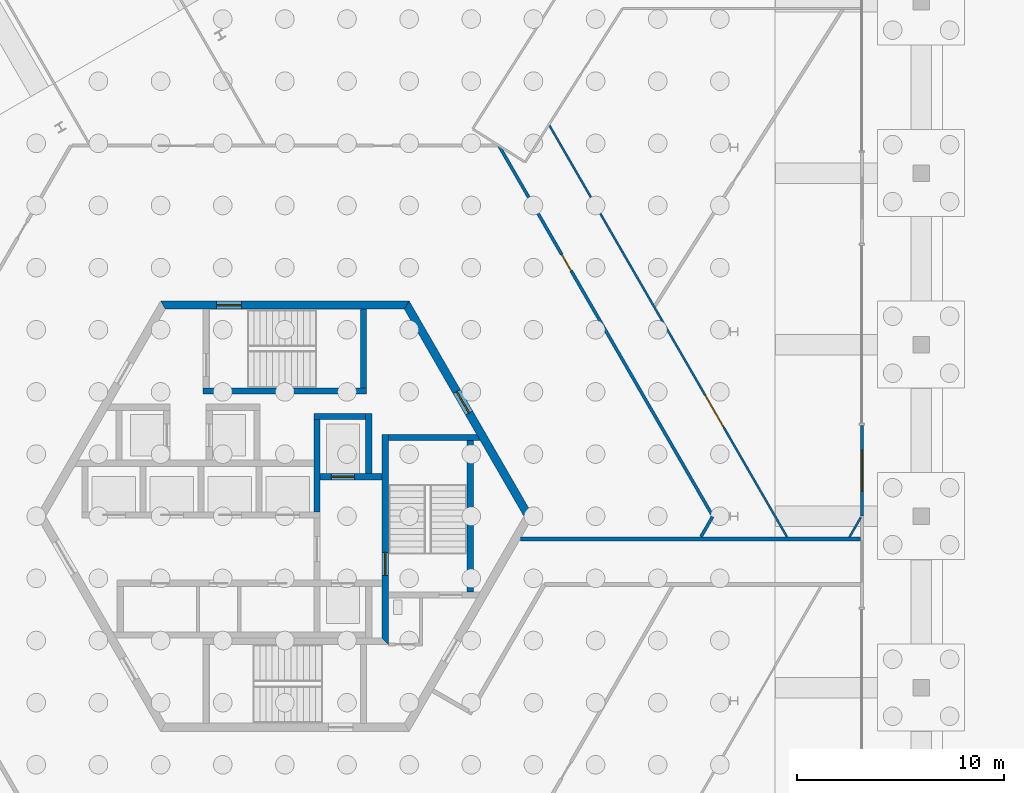
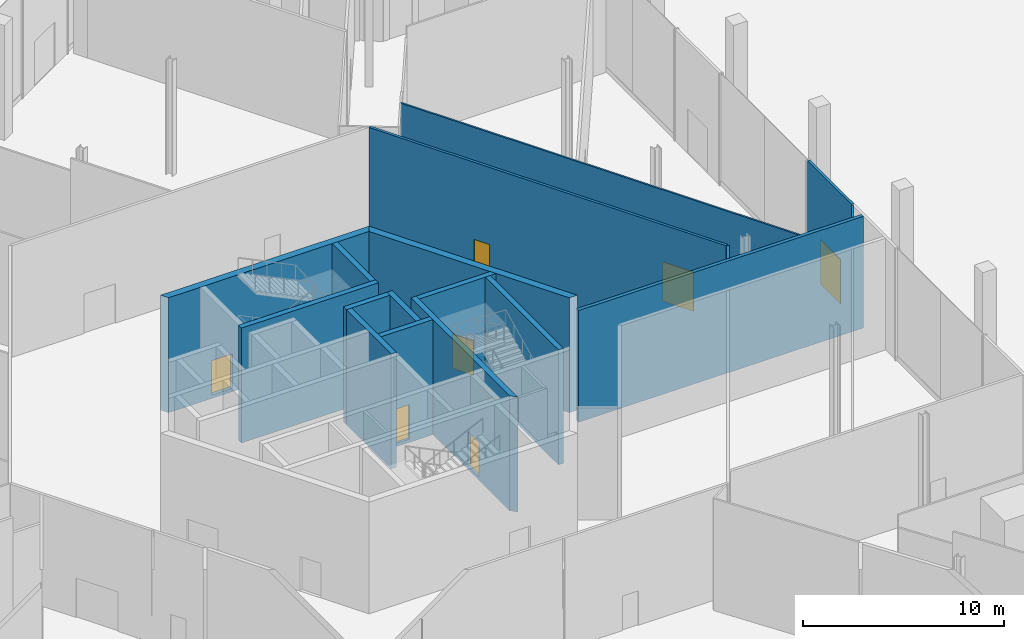
# One storey, part 20 of 27: 17 walls, 7 doors, 7 openings.
"""IFC4 building model written with IfcOpenShell, lengths in metres."""

from ifc_helpers import new_model, si_unit, direction, frame, frame_2d, origin, place, context, subcontext, project, spatial, polyline, rectangle, outline, extrude, source, transform, mapped, material, layer, layer_set, type_object, element, fill, save


model = new_model("IFC4")

# Units and contexts
model_context = context("Model", 3, precision=1e-05, world=origin(), true_north=direction((0.0, 1.0)))
body_context = subcontext(model_context, "Body", "Model", "MODEL_VIEW")
ifc_project = project(units=[si_unit("LENGTHUNIT", "METRE"), si_unit("AREAUNIT", "SQUARE_METRE"), si_unit("VOLUMEUNIT", "CUBIC_METRE"), si_unit("PLANEANGLEUNIT", "RADIAN"), si_unit("MASSUNIT", "GRAM", prefix="KILO")], contexts=[model_context])

# Site, building, storey
site_placement = place(None, origin())
site = spatial("IfcSite", under=ifc_project, at=site_placement, CompositionType="ELEMENT")
building_placement = place(site_placement, origin())
building = spatial("IfcBuilding", under=site, at=building_placement, Name="Triune Harvest Tower", CompositionType="ELEMENT")
storey_placement = place(building_placement, origin())
storey = spatial("IfcBuildingStorey", under=building, at=storey_placement, Name="L00", CompositionType="ELEMENT", Elevation=0.0)

# Walls
ifc_material_1 = material(Name="Concrete 70 MPa", Category="concrete")
ifc_layer_1 = layer(ifc_material_1, 0.300048828125)
ifc_layer_set_1 = layer_set([ifc_layer_1], Name="Concrete 70 MPa")
wall_type_1 = type_object("IfcWallType", Name="Core wall 300", PredefinedType="SHEAR", material=ifc_layer_set_1)
wall_1_placement = place(storey_placement, frame((1.550048828125, 0.2099609375, -0.199951171875), z_axis=(0.0, 0.0, 1.0), x_axis=(0.0, 1.0, 0.0)))
element("IfcWall", 1, at=wall_1_placement, inside=storey, type_object=wall_type_1, Name="Ff1 west wall", PredefinedType="SHEAR", context=body_context, shape_type="SweptSolid", body=[
    extrude(rectangle(XDim=4.449951171875, YDim=0.300048828125, at=frame_2d((2.22509765625, 0.0))), origin(), (0.0, 0.0, 1.0), 7.0),
])
wall_2_placement = place(storey_placement, frame((4.050048828125, 2.06005859375, -0.199951171875), z_axis=(0.0, 0.0, 1.0), x_axis=(0.0, 1.0, 0.0)))
element("IfcWall", 2, at=wall_2_placement, inside=storey, type_object=wall_type_1, Name="Ff1 east wall", PredefinedType="SHEAR", context=body_context, shape_type="SweptSolid", body=[
    extrude(rectangle(XDim=2.89990234375, YDim=0.300048828125, at=frame_2d((1.449951171875, 0.0))), origin(), (0.0, 0.0, 1.0), 7.0),
])

# Wall, opening, door
wall_3_placement = place(storey_placement, frame((4.85009765625, -6.0400390625, -0.199951171875), z_axis=(0.0, 0.0, 1.0), x_axis=(0.0, 1.0, 0.0)))
wall_3 = element("IfcWall", 3, at=wall_3_placement, inside=storey, type_object=wall_type_1, Name="Stair e west wall", PredefinedType="SHEAR", context=body_context, shape_type="SweptSolid", body=[
    extrude(outline(polyline([(-0.14990234375, -0.14990234375), (9.989990234375, -0.14990234375), (9.989990234375, 0.14990234375), (0.14990234375, 0.14990234375), (-0.14990234375, -0.14990234375)])), origin(), (0.0, 0.0, 1.0), 7.0),
])
opening_1_placement = place(wall_3_placement, frame((3.18994140625, 0.0, 0.199951171875)))
opening_1 = element("IfcOpeningElement", 4, at=opening_1_placement, cuts=wall_3, Name="Opening CD-S3L", PredefinedType="OPENING", context=body_context, shape_type="SweptSolid", body=[
    extrude(rectangle(XDim=1.10009765625, YDim=2.10009765625, at=frame_2d((0.550048828125, 1.050048828125))), frame((0.0, 0.16015625, 0.0), z_axis=(0.0, -1.0, 0.0), x_axis=(1.0, 0.0, 0.0)), (0.0, 0.0, 1.0), 0.320068359375),
])
ifc_material_2 = material(Name="Steel S235", Category="steel")
door_type_1 = type_object("IfcDoorType", Name="Stair door 1100 FD120", OperationType="SINGLE_SWING_LEFT", PredefinedType="DOOR", material=ifc_material_2)
door_1_placement = place(opening_1_placement, frame((1.10009765625, 0.0, 0.0), z_axis=(0.0, 0.0, 1.0), x_axis=(-1.0, 0.0, 0.0)))
door_1 = element("IfcDoor", 5, at=door_1_placement, inside=storey, type_object=door_type_1, Name="Door CD-S3L", OperationType="SINGLE_SWING_RIGHT", OverallHeight=2.10009765625, OverallWidth=1.10009765625, PredefinedType="DOOR", context=body_context, shape_type="SweptSolid", body=[
    extrude(rectangle(XDim=1.10009765625, YDim=2.10009765625, at=frame_2d((0.550048828125, 1.050048828125))), frame((0.0, 0.02490234375, 0.0), z_axis=(0.0, -1.0, 0.0), x_axis=(1.0, 0.0, 0.0)), (0.0, 0.0, 1.0), 0.050048828125),
])
fill(opening_1, door_1)

# Walls
wall_4_placement = place(storey_placement, frame((5.0, 3.800048828125, -0.199951171875), z_axis=(0.0, 0.0, 1.0), x_axis=(1.0, 0.0, 0.0)))
element("IfcWall", 6, at=wall_4_placement, inside=storey, type_object=wall_type_1, Name="Stair e north wall", PredefinedType="SHEAR", context=body_context, shape_type="SweptSolid", body=[
    extrude(outline(polyline([(0.0, -0.14990234375), (0.0, 0.14990234375), (4.260009765625, 0.14990234375), (4.43310546875, -0.14990234375), (0.0, -0.14990234375)])), origin(), (0.0, 0.0, 1.0), 7.0),
])
wall_5_placement = place(storey_placement, frame((8.949951171875, -3.64990234375, -0.199951171875), z_axis=(0.0, 0.0, 1.0), x_axis=(0.0, 1.0, 0.0)))
element("IfcWall", 7, at=wall_5_placement, inside=storey, type_object=wall_type_1, Name="Stair e east wall", PredefinedType="SHEAR", context=body_context, shape_type="SweptSolid", body=[
    extrude(rectangle(XDim=7.2998046875, YDim=0.300048828125, at=frame_2d((3.64990234375, 0.0))), origin(), (0.0, 0.0, 1.0), 7.0),
])
wall_6_placement = place(storey_placement, frame((-3.949951171875, 6.0400390625, -0.199951171875), z_axis=(0.0, 0.0, 1.0), x_axis=(1.0, 0.0, 0.0)))
element("IfcWall", 8, at=wall_6_placement, inside=storey, type_object=wall_type_1, Name="Stair n south wall", PredefinedType="SHEAR", context=body_context, shape_type="SweptSolid", body=[
    extrude(rectangle(XDim=7.89990234375, YDim=0.300048828125, at=frame_2d((3.949951171875, 0.0))), origin(), (0.0, 0.0, 1.0), 7.0),
])

# Wall, opening, door
ifc_material_3 = material(Name="Gypsum board on steel studs", Category="steel")
ifc_layer_2 = layer(ifc_material_3, 0.14990234375)
ifc_layer_set_2 = layer_set([ifc_layer_2], Name="Gypsum board on steel studs")
wall_type_2 = type_object("IfcWallType", Name="Fire Partition 150 mm", PredefinedType="PARTITIONING", material=ifc_layer_set_2)
wall_7_placement = place(storey_placement, frame((10.35107421875, 17.85595703125, 0.0), z_axis=(0.0, 0.0, 1.0), x_axis=(0.499999528265, -0.866025676141, 0.0)))
wall_7 = element("IfcWall", 9, at=wall_7_placement, inside=storey, type_object=wall_type_2, Name="Partition L00 011", PredefinedType="PARTITIONING", context=body_context, shape_type="SweptSolid", body=[
    extrude(rectangle(XDim=20.568359375, YDim=0.14990234375, at=frame_2d((10.2841796875, 0.0))), origin(), (0.0, 0.0, 1.0), 6.800048828125),
])
opening_2_placement = place(wall_7_placement, frame((6.0341796875, 0.0, 0.0)))
opening_2 = element("IfcOpeningElement", 10, at=opening_2_placement, cuts=wall_7, Name="Opening L00-006", PredefinedType="OPENING", context=body_context, shape_type="SweptSolid", body=[
    extrude(rectangle(XDim=0.89990234375, YDim=2.10009765625, at=frame_2d((0.449951171875, 1.050048828125))), frame((0.0, 0.0849609375, 0.0), z_axis=(0.0, -1.0, 0.0), x_axis=(1.0, 0.0, 0.0)), (0.0, 0.0, 1.0), 0.169921875),
])
ifc_material_4 = material(Name="Timber and steel door set", Category="steel")
door_type_2 = type_object("IfcDoorType", Name="Single leaf door FD30 left hand 900 x 2100", OperationType="SINGLE_SWING_LEFT", PredefinedType="DOOR", material=ifc_material_4)
door_2_placement = place(opening_2_placement, origin())
door_2 = element("IfcDoor", 11, at=door_2_placement, inside=storey, type_object=door_type_2, Name="Door L00-006 Dry Store Room 00.06", OperationType="SINGLE_SWING_LEFT", OverallHeight=2.10009765625, OverallWidth=0.89990234375, PredefinedType="DOOR", context=body_context, shape_type="SweptSolid", body=[
    extrude(rectangle(XDim=0.89990234375, YDim=2.10009765625, at=frame_2d((0.449951171875, 1.050048828125))), frame((0.0, 0.02490234375, 0.0), z_axis=(0.0, -1.0, 0.0), x_axis=(1.0, 0.0, 0.0)), (0.0, 0.0, 1.0), 0.050048828125),
])
fill(opening_2, door_2)

# Walls
wall_8_placement = place(storey_placement, frame((20.08544921875, -0.995361328125, 0.0), z_axis=(0.0, 0.0, 1.0), x_axis=(0.500005339912, 0.866022320763, 0.0)))
element("IfcWall", 12, at=wall_8_placement, inside=storey, type_object=wall_type_2, Name="Partition L00 068", PredefinedType="PARTITIONING", context=body_context, shape_type="SweptSolid", body=[
    extrude(rectangle(XDim=1.12060546875, YDim=0.14990234375, at=frame_2d((0.560302734375, 0.0))), origin(), (0.0, 0.0, 1.0), 6.800048828125),
])
ifc_material_5 = material(Name="Gypsum board on steel studs", Category="steel")
ifc_layer_3 = layer(ifc_material_5, 0.199951171875)
ifc_layer_set_3 = layer_set([ifc_layer_3], Name="Gypsum board on steel studs")
wall_type_3 = type_object("IfcWallType", Name="Fire Wall 200 mm", PredefinedType="PARTITIONING", material=ifc_layer_set_3)
wall_9_placement = place(storey_placement, frame((11.36767578125, -1.09521484375, 0.0), z_axis=(0.0, 0.0, 1.0), x_axis=(1.0, 0.0, 0.0)))
element("IfcWall", 13, at=wall_9_placement, inside=storey, type_object=wall_type_3, Name="Partition L00 072", PredefinedType="PARTITIONING", context=body_context, shape_type="SweptSolid", body=[
    extrude(rectangle(XDim=16.412353515625, YDim=0.199951171875, at=frame_2d((8.2060546875, 0.0))), origin(), (0.0, 0.0, 1.0), 6.800048828125),
])

# Wall, opening, door
ifc_material_6 = material(Name="Gypsum board on steel studs", Category="steel")
ifc_layer_4 = layer(ifc_material_6, 0.10009765625)
ifc_layer_set_4 = layer_set([ifc_layer_4], Name="Gypsum board on steel studs")
wall_type_4 = type_object("IfcWallType", Name="Partition 100 mm", PredefinedType="PARTITIONING", material=ifc_layer_set_4)
wall_10_placement = place(storey_placement, frame((12.747314453125, 18.9052734375, 0.0), z_axis=(0.0, 0.0, 1.0), x_axis=(0.500003565856, -0.866023345027, 0.0)))
wall_10 = element("IfcWall", 14, at=wall_10_placement, inside=storey, type_object=wall_type_4, Name="Partition L00 012", PredefinedType="PARTITIONING", context=body_context, shape_type="SweptSolid", body=[
    extrude(rectangle(XDim=22.979248046875, YDim=0.10009765625, at=frame_2d((11.48974609375, 0.0))), origin(), (0.0, 0.0, 1.0), 6.800048828125),
])
opening_3_placement = place(wall_10_placement, frame((15.080078125, 0.0, 0.0)))
opening_3 = element("IfcOpeningElement", 15, at=opening_3_placement, cuts=wall_10, Name="Opening L00-005", PredefinedType="OPENING", context=body_context, shape_type="SweptSolid", body=[
    extrude(rectangle(XDim=1.800048828125, YDim=2.39990234375, at=frame_2d((0.89990234375, 1.199951171875))), frame((0.0, 0.06005859375, 0.0), z_axis=(0.0, -1.0, 0.0), x_axis=(1.0, 0.0, 0.0)), (0.0, 0.0, 1.0), 0.1201171875),
])
ifc_material_7 = material(Name="Timber and steel door set", Category="steel")
door_type_3 = type_object("IfcDoorType", Name="Double leaf door 1800 x 2400", OperationType="DOUBLE_DOOR_SINGLE_SWING", PredefinedType="DOOR", material=ifc_material_7)
door_3_placement = place(opening_3_placement, origin())
door_3 = element("IfcDoor", 16, at=door_3_placement, inside=storey, type_object=door_type_3, Name="Door L00-005 Food Hall 00.05", OperationType="DOUBLE_DOOR_SINGLE_SWING", OverallHeight=2.39990234375, OverallWidth=1.800048828125, PredefinedType="DOOR", context=body_context, shape_type="SweptSolid", body=[
    extrude(rectangle(XDim=1.800048828125, YDim=2.39990234375, at=frame_2d((0.89990234375, 1.199951171875))), frame((0.0, 0.02490234375, 0.0), z_axis=(0.0, -1.0, 0.0), x_axis=(1.0, 0.0, 0.0)), (0.0, 0.0, 1.0), 0.050048828125),
])
fill(opening_3, door_3)

# Wall
wall_11_placement = place(storey_placement, frame((27.26171875, -0.995361328125, 0.0), z_axis=(0.0, 0.0, 1.0), x_axis=(0.499962673433, 0.866046953215, 0.0)))
element("IfcWall", 17, at=wall_11_placement, inside=storey, type_object=wall_type_4, Name="Partition L00 067", PredefinedType="PARTITIONING", context=body_context, shape_type="SweptSolid", body=[
    extrude(rectangle(XDim=1.0849609375, YDim=0.10009765625, at=frame_2d((0.54248046875, 0.0))), origin(), (0.0, 0.0, 1.0), 6.800048828125),
])

# Wall, opening, door
ifc_material_8 = material(Name="Concrete 70 MPa", Category="concrete")
ifc_layer_5 = layer(ifc_material_8, 0.39990234375)
ifc_layer_set_5 = layer_set([ifc_layer_5], Name="Concrete 70 MPa")
wall_type_5 = type_object("IfcWallType", Name="Core wall 400", PredefinedType="SHEAR", material=ifc_layer_set_5)
shared_shape_1 = source(origin(), body_context, "Body", "SweptSolid", [
    extrude(outline(polyline([(-0.115478515625, -0.199951171875), (11.884521484375, -0.199951171875), (11.653564453125, 0.199951171875), (0.115478515625, 0.199951171875), (-0.115478515625, -0.199951171875)])), origin(), (0.0, 0.0, 1.0), 7.0),
])
wall_12_placement = place(storey_placement, frame((11.76904296875, 0.0, -0.199951171875), z_axis=(0.0, 0.0, 1.0), x_axis=(-0.499996592174, 0.866027371285, 0.0)))
wall_12 = element("IfcWall", 18, at=wall_12_placement, inside=storey, type_object=wall_type_5, Name="Hexagon 0 wall", PredefinedType="SHEAR", context=body_context, shape_type="MappedRepresentation", body=[
    mapped(shared_shape_1, transform((0.0, 0.0, 0.0), scale=1.0)),
])
opening_4_placement = place(wall_12_placement, frame((5.75048828125, 0.0, 0.199951171875)))
opening_4 = element("IfcOpeningElement", 19, at=opening_4_placement, cuts=wall_12, Name="Opening CD-WCP", PredefinedType="OPENING", context=body_context, shape_type="SweptSolid", body=[
    extrude(rectangle(XDim=1.199951171875, YDim=2.10009765625, at=frame_2d((0.60009765625, 1.050048828125))), frame((0.0, 0.2099609375, 0.0), z_axis=(0.0, -1.0, 0.0), x_axis=(1.0, 0.0, 0.0)), (0.0, 0.0, 1.0), 0.419921875),
])
ifc_material_9 = material(Name="Steel S235", Category="steel")
door_type_4 = type_object("IfcDoorType", Name="Lobby door 1200 FD120", OperationType="SINGLE_SWING_LEFT", PredefinedType="DOOR", material=ifc_material_9)
door_4_placement = place(opening_4_placement, frame((1.199951171875, 0.0, 0.0), z_axis=(0.0, 0.0, 1.0), x_axis=(-1.0, 0.0, 0.0)))
door_4 = element("IfcDoor", 20, at=door_4_placement, inside=storey, type_object=door_type_4, Name="Door CD-WCP", OperationType="SINGLE_SWING_RIGHT", OverallHeight=2.10009765625, OverallWidth=1.199951171875, PredefinedType="DOOR", context=body_context, shape_type="SweptSolid", body=[
    extrude(rectangle(XDim=1.199951171875, YDim=2.10009765625, at=frame_2d((0.60009765625, 1.050048828125))), frame((0.0, 0.02490234375, 0.0), z_axis=(0.0, -1.0, 0.0), x_axis=(1.0, 0.0, 0.0)), (0.0, 0.0, 1.0), 0.050048828125),
])
fill(opening_4, door_4)

wall_13_placement = place(storey_placement, frame((5.884521484375, 10.1923828125, -0.199951171875), z_axis=(0.0, 0.0, 1.0), x_axis=(-1.0, 0.0, 0.0)))
wall_13 = element("IfcWall", 21, at=wall_13_placement, inside=storey, type_object=wall_type_5, Name="Hexagon 1 wall", PredefinedType="SHEAR", context=body_context, shape_type="MappedRepresentation", body=[
    mapped(shared_shape_1, transform((0.0, 0.0, 0.0), scale=1.0)),
])
opening_5_placement = place(wall_13_placement, frame((7.984619140625, 0.0, 0.199951171875)))
opening_5 = element("IfcOpeningElement", 22, at=opening_5_placement, cuts=wall_13, Name="Opening CD-S1P", PredefinedType="OPENING", context=body_context, shape_type="SweptSolid", body=[
    extrude(rectangle(XDim=1.199951171875, YDim=2.10009765625, at=frame_2d((0.60009765625, 1.050048828125))), frame((0.0, 0.2099609375, 0.0), z_axis=(0.0, -1.0, 0.0), x_axis=(1.0, 0.0, 0.0)), (0.0, 0.0, 1.0), 0.419921875),
])
ifc_material_10 = material(Name="Steel S235", Category="steel")
door_type_5 = type_object("IfcDoorType", Name="Stair door 1200 FD120", OperationType="SINGLE_SWING_LEFT", PredefinedType="DOOR", material=ifc_material_10)
door_5_placement = place(opening_5_placement, frame((1.199951171875, 0.0, 0.0), z_axis=(0.0, 0.0, 1.0), x_axis=(-1.0, 0.0, 0.0)))
door_5 = element("IfcDoor", 23, at=door_5_placement, inside=storey, type_object=door_type_5, Name="Door CD-S1P", OperationType="SINGLE_SWING_RIGHT", OverallHeight=2.10009765625, OverallWidth=1.199951171875, PredefinedType="DOOR", context=body_context, shape_type="SweptSolid", body=[
    extrude(rectangle(XDim=1.199951171875, YDim=2.10009765625, at=frame_2d((0.60009765625, 1.050048828125))), frame((0.0, 0.02490234375, 0.0), z_axis=(0.0, -1.0, 0.0), x_axis=(1.0, 0.0, 0.0)), (0.0, 0.0, 1.0), 0.050048828125),
])
fill(opening_5, door_5)

# Wall
shared_shape_2 = source(origin(), body_context, "Body", "SweptSolid", [
    extrude(rectangle(XDim=2.5, YDim=0.300048828125, at=frame_2d((1.25, 0.0))), origin(), (0.0, 0.0, 1.0), 7.0),
])
wall_14_placement = place(storey_placement, frame((1.39990234375, 4.81005859375, -0.199951171875), z_axis=(0.0, 0.0, 1.0), x_axis=(1.0, 0.0, 0.0)))
element("IfcWall", 24, at=wall_14_placement, inside=storey, type_object=wall_type_1, Name="Ff1 back wall", PredefinedType="SHEAR", context=body_context, shape_type="MappedRepresentation", body=[
    mapped(shared_shape_2, transform((0.0, 0.0, 0.0), scale=1.0)),
])

# Wall, opening, door
shared_shape_3 = source(origin(), body_context, "Body", "SweptSolid", [
    extrude(rectangle(XDim=3.0, YDim=0.300048828125, at=frame_2d((1.5, 0.0))), origin(), (0.0, 0.0, 1.0), 7.0),
])
wall_15_placement = place(storey_placement, frame((1.699951171875, 1.909912109375, -0.199951171875), z_axis=(0.0, 0.0, 1.0), x_axis=(1.0, 0.0, 0.0)))
wall_15 = element("IfcWall", 25, at=wall_15_placement, inside=storey, type_object=wall_type_1, Name="Ff1 front wall", PredefinedType="SHEAR", context=body_context, shape_type="MappedRepresentation", body=[
    mapped(shared_shape_3, transform((0.0, 0.0, 0.0), scale=1.0)),
])
opening_6_placement = place(wall_15_placement, frame((0.550048828125, 0.0, 0.199951171875)))
opening_6 = element("IfcOpeningElement", 26, at=opening_6_placement, cuts=wall_15, Name="Opening LD-FF1-00", PredefinedType="OPENING", context=body_context, shape_type="SweptSolid", body=[
    extrude(rectangle(XDim=1.10009765625, YDim=2.10009765625, at=frame_2d((0.550048828125, 1.050048828125))), frame((0.0, 0.16015625, 0.0), z_axis=(0.0, -1.0, 0.0), x_axis=(1.0, 0.0, 0.0)), (0.0, 0.0, 1.0), 0.320068359375),
])
ifc_material_11 = material(Name="Stainless steel AISI 304", Category="steel")
door_type_6 = type_object("IfcDoorType", Name="Landing door 1100 x 2100", OperationType="DOUBLE_DOOR_SLIDING", PredefinedType="DOOR", material=ifc_material_11)
door_6_placement = place(opening_6_placement, origin())
door_6 = element("IfcDoor", 27, at=door_6_placement, inside=storey, type_object=door_type_6, Name="Door LD-FF1-00", OperationType="DOUBLE_DOOR_SLIDING", OverallHeight=2.10009765625, OverallWidth=1.10009765625, PredefinedType="DOOR", context=body_context, shape_type="SweptSolid", body=[
    extrude(rectangle(XDim=1.10009765625, YDim=2.10009765625, at=frame_2d((0.550048828125, 1.050048828125))), frame((0.0, 0.02490234375, 0.0), z_axis=(0.0, -1.0, 0.0), x_axis=(1.0, 0.0, 0.0)), (0.0, 0.0, 1.0), 0.050048828125),
])
fill(opening_6, door_6)

# Wall
shared_shape_4 = source(origin(), body_context, "Body", "SweptSolid", [
    extrude(outline(polyline([(0.0, -0.14990234375), (0.0, 0.14990234375), (3.80419921875, 0.14990234375), (3.80419921875, -0.14990234375), (0.0, -0.14990234375)])), origin(), (0.0, 0.0, 1.0), 7.0),
])
wall_16_placement = place(storey_placement, frame((3.800048828125, 6.18994140625, -0.199951171875), z_axis=(0.0, 0.0, 1.0), x_axis=(0.0, 1.0, 0.0)))
element("IfcWall", 28, at=wall_16_placement, inside=storey, type_object=wall_type_1, Name="Stair n east wall", PredefinedType="SHEAR", context=body_context, shape_type="MappedRepresentation", body=[
    mapped(shared_shape_4, transform((0.0, 0.0, 0.0), scale=1.0)),
])

# Wall, opening, door
ifc_material_12 = material(Name="Aluminium bronze anodised", Category="aluminium")
ifc_layer_6 = layer(ifc_material_12, 0.14990234375)
ifc_layer_set_6 = layer_set([ifc_layer_6], Name="Aluminium bronze anodised")
wall_type_6 = type_object("IfcWallType", Name="WW-1 entrance wall", PredefinedType="ELEMENTEDWALL", material=ifc_layer_set_6)
shared_shape_5 = source(origin(), body_context, "Body", "SweptSolid", [
    extrude(rectangle(XDim=4.390625, YDim=0.14990234375, at=frame_2d((2.1953125, 0.0))), origin(), (0.0, 0.0, 1.0), 6.800048828125),
])
wall_17_placement = place(storey_placement, frame((27.854248046875, 4.390625, 0.0), z_axis=(0.0, 0.0, 1.0), x_axis=(0.0, -1.0, 0.0)))
wall_17 = element("IfcWall", 29, at=wall_17_placement, inside=storey, type_object=wall_type_6, Name="WW-1 PD-F1 L00.11", PredefinedType="ELEMENTEDWALL", context=body_context, shape_type="MappedRepresentation", body=[
    mapped(shared_shape_5, transform((0.0, 0.0, 0.0), scale=1.0)),
])
opening_7_placement = place(wall_17_placement, frame((1.1953125, 0.0, 0.0)))
opening_7 = element("IfcOpeningElement", 30, at=opening_7_placement, cuts=wall_17, Name="Opening L00-E03", PredefinedType="OPENING", context=body_context, shape_type="SweptSolid", body=[
    extrude(rectangle(XDim=2.0, YDim=2.699951171875, at=frame_2d((1.0, 1.35009765625))), frame((0.0, 0.0849609375, 0.0), z_axis=(0.0, -1.0, 0.0), x_axis=(1.0, 0.0, 0.0)), (0.0, 0.0, 1.0), 0.169921875),
])
ifc_material_13 = material(Name="Glass", Category="glass")
door_type_7 = type_object("IfcDoorType", Name="DE-1 glazed entrance door 2000 x 2700", OperationType="DOUBLE_DOOR_SINGLE_SWING", PredefinedType="DOOR", material=ifc_material_13)
door_7_placement = place(opening_7_placement, origin())
door_7 = element("IfcDoor", 31, at=door_7_placement, inside=storey, type_object=door_type_7, Name="Door L00-E03", OperationType="DOUBLE_DOOR_SINGLE_SWING", OverallHeight=2.699951171875, OverallWidth=2.0, PredefinedType="DOOR", context=body_context, shape_type="SweptSolid", body=[
    extrude(rectangle(XDim=2.0, YDim=2.699951171875, at=frame_2d((1.0, 1.35009765625))), frame((0.0, 0.02490234375, 0.0), z_axis=(0.0, -1.0, 0.0), x_axis=(1.0, 0.0, 0.0)), (0.0, 0.0, 1.0), 0.050048828125),
])
fill(opening_7, door_7)

save(model, "model.ifc")
